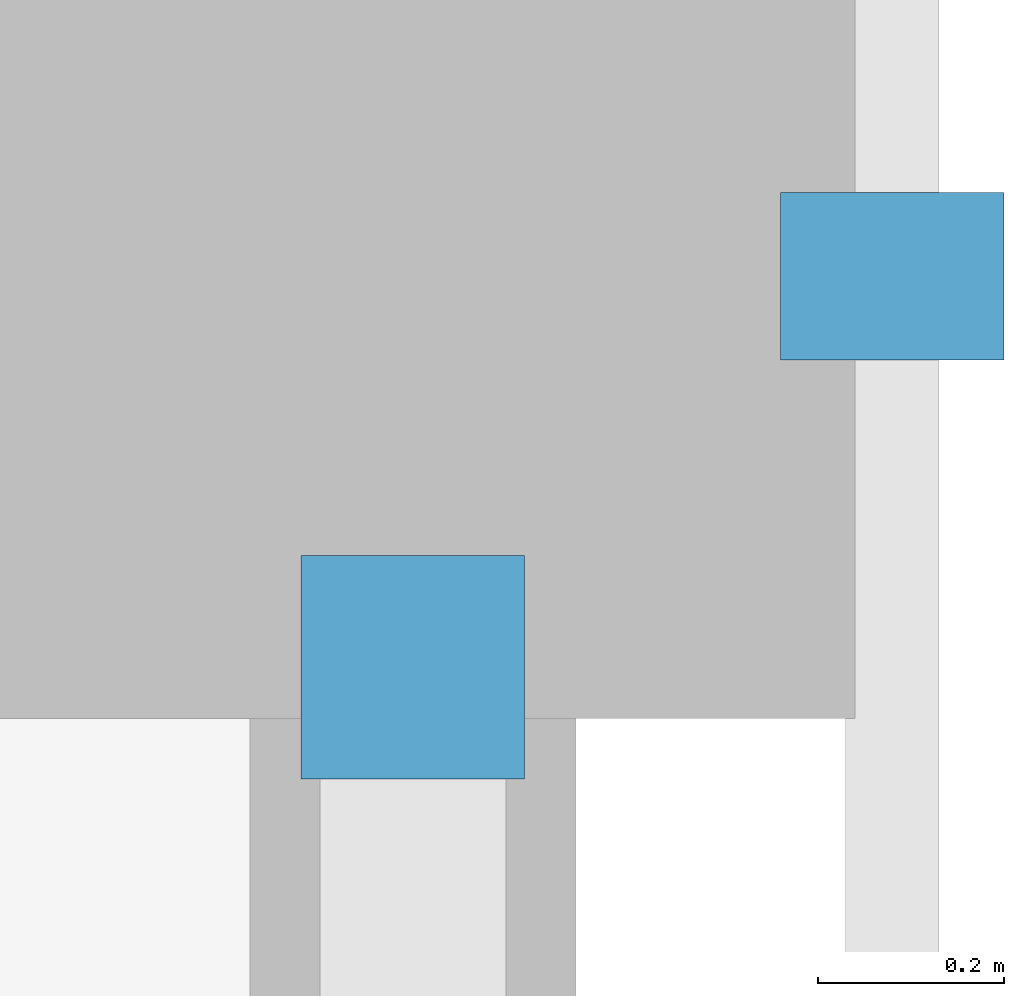
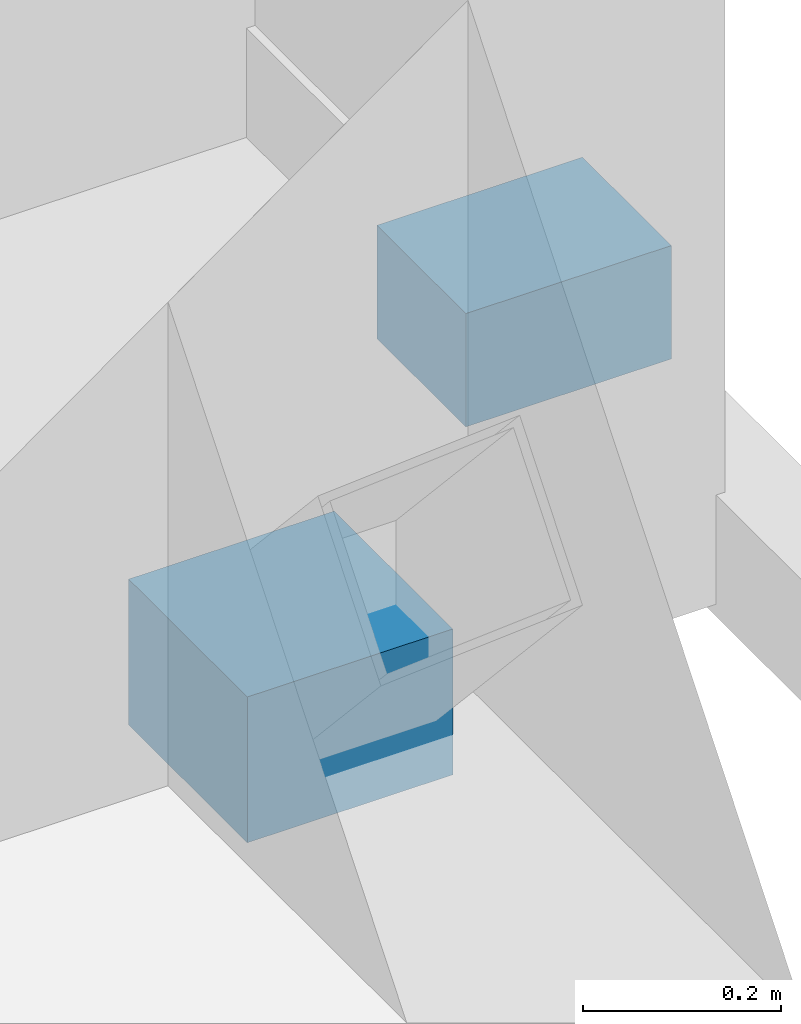
# One storey, part 88 of 109: 2 discrete accessories.
"""IFC4 building model written with IfcOpenShell, lengths in metres."""

from ifc_helpers import new_model, si_unit, direction, frame, origin, origin_2d, place, context, subcontext, project, spatial, rectangle, extrude, material, layer, layer_set, type_object, element, save


model = new_model("IFC4")

# Units and contexts
model_context = context("Model", 3, precision=1e-05, world=origin(), true_north=direction((0.0, 1.0)))
body_context = subcontext(model_context, "Body", "Model", "MODEL_VIEW")
ifc_project = project(units=[si_unit("LENGTHUNIT", "METRE"), si_unit("AREAUNIT", "SQUARE_METRE"), si_unit("VOLUMEUNIT", "CUBIC_METRE"), si_unit("PLANEANGLEUNIT", "RADIAN"), si_unit("MASSUNIT", "GRAM", prefix="KILO")], contexts=[model_context])

# Site, building, storey
site_placement = place(None, origin())
site = spatial("IfcSite", under=ifc_project, at=site_placement, CompositionType="ELEMENT")
building_placement = place(site_placement, origin())
building = spatial("IfcBuilding", under=site, at=building_placement, Name="Haebicheon Civic Stadium", CompositionType="ELEMENT")
storey_placement = place(building_placement, frame((0.0, 0.0, 9.60009765625)))
storey = spatial("IfcBuildingStorey", under=building, at=storey_placement, Name="L03", CompositionType="ELEMENT", Elevation=9.60009765625)

# Discrete accessories
ifc_material_1 = material(Name="White painted steel SM490", Category="steel")
ifc_layer_1 = layer(ifc_material_1, 0.179931640625, Name="White painted steel SM490")
ifc_layer_set_1 = layer_set([ifc_layer_1], Name="White painted steel SM490")
discrete_accessory_type_1 = type_object("IfcDiscreteAccessoryType", Name="BRK-END-PLT", PredefinedType="BRACKET", material=ifc_layer_set_1)
discrete_accessory_1_placement = place(storey_placement, frame((236.0, 119.580078125, -0.05029296875), z_axis=(0.0, 0.0, 1.0), x_axis=(1.0, 0.0, 0.0)))
element("IfcDiscreteAccessory", 1, at=discrete_accessory_1_placement, inside=storey, type_object=discrete_accessory_type_1, material=ifc_layer_set_1, Name="Brace L03-28-14 bolted end connection plate", PredefinedType="BRACKET", context=body_context, shape_type="SweptSolid", body=[
    extrude(rectangle(XDim=0.239990234375, YDim=0.239990234375, at=origin_2d()), origin(), (0.0, 0.0, 1.0), 0.179931640625),
])
ifc_material_2 = material(Name="Stainless steel 316", Category="steel")
ifc_layer_2 = layer(ifc_material_2, 0.139892578125, Name="Stainless steel 316")
ifc_layer_set_2 = layer_set([ifc_layer_2], Name="Stainless steel 316")
discrete_accessory_type_2 = type_object("IfcDiscreteAccessoryType", Name="BRK-LVR-CLEAT", PredefinedType="BRACKET", material=ifc_layer_set_2)
discrete_accessory_2_placement = place(storey_placement, frame((236.514892578125, 120.0, 0.009765625), z_axis=(0.0, 0.0, 1.0), x_axis=(1.0, 0.0, 0.0)))
element("IfcDiscreteAccessory", 2, at=discrete_accessory_2_placement, inside=storey, type_object=discrete_accessory_type_2, material=ifc_layer_set_2, Name="SCR-COMM L03 stainless bracket cleat 9B", PredefinedType="BRACKET", context=body_context, shape_type="SweptSolid", body=[
    extrude(rectangle(XDim=0.239990234375, YDim=0.179931640625, at=origin_2d()), origin(), (0.0, 0.0, 1.0), 0.139892578125),
])

save(model, "model.ifc")
